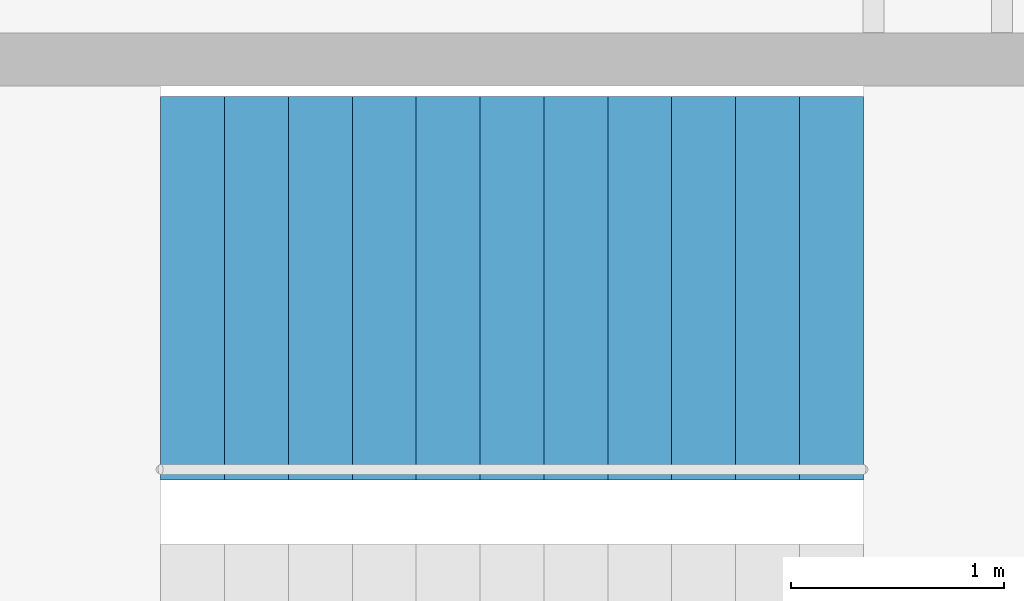
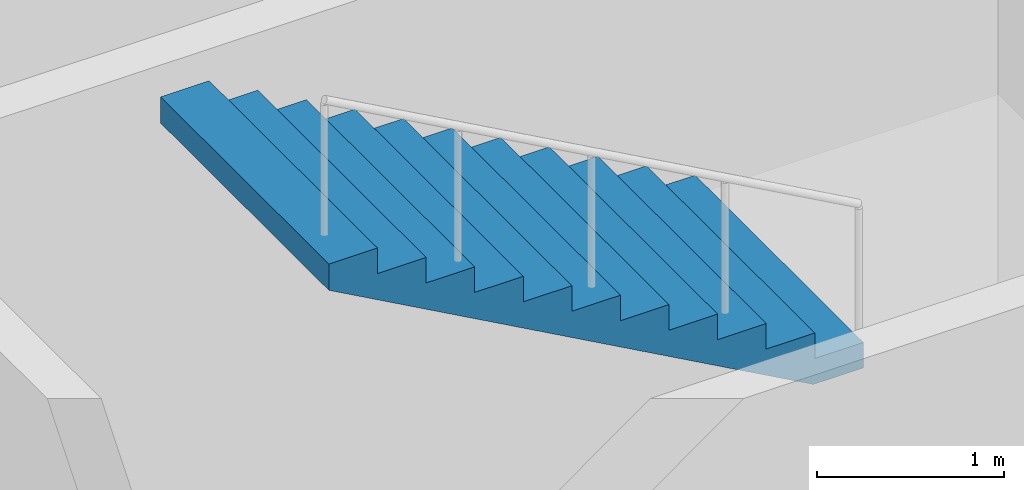
# One storey, part 6 of 8: 1 stair flight, 1 element without a shape of its own.
"""IFC4 building model written with IfcOpenShell, lengths in metres."""

from ifc_helpers import new_model, si_unit, direction, frame, origin, place, context, subcontext, project, spatial, polyline, outline, extrude, material, type_object, element, aggregate, save


model = new_model("IFC4")

# Units and contexts
model_context = context("Model", 3, precision=1e-05, world=origin(), true_north=direction((0.0, 1.0)))
body_context = subcontext(model_context, "Body", "Model", "MODEL_VIEW")
ifc_project = project(units=[si_unit("LENGTHUNIT", "METRE"), si_unit("AREAUNIT", "SQUARE_METRE"), si_unit("VOLUMEUNIT", "CUBIC_METRE"), si_unit("PLANEANGLEUNIT", "RADIAN"), si_unit("MASSUNIT", "GRAM", prefix="KILO")], contexts=[model_context])

# Site, building, storey
site_placement = place(None, origin())
site = spatial("IfcSite", under=ifc_project, at=site_placement, CompositionType="ELEMENT")
building_placement = place(site_placement, origin())
building = spatial("IfcBuilding", under=site, at=building_placement, Name="Cinnabar Reach Civic Tower", CompositionType="ELEMENT")
storey_placement = place(building_placement, frame((0.0, 0.0, 206.0)))
storey = spatial("IfcBuildingStorey", under=building, at=storey_placement, Name="L49", CompositionType="ELEMENT", Elevation=206.0)

# Stair, stair flight
ifc_material = material(Name="Concrete C40/50", Category="concrete")
stair_type = type_object("IfcStairType", Name="T1 Exit stair, half-turn", PredefinedType="HALF_TURN_STAIR", material=ifc_material)
stair_placement = place(storey_placement, origin())
stair = element("IfcStair", 1, at=stair_placement, inside=storey, type_object=stair_type, Name="Stair T1-S3", PredefinedType="HALF_TURN_STAIR")
stair_flight_type = type_object("IfcStairFlightType", Name="T1 Stair flight, concrete", PredefinedType="STRAIGHT", material=ifc_material)
stair_flight_placement = place(storey_placement, frame((35.35, 32.55, 2.0), z_axis=(0.0, 0.0, 1.0), x_axis=(-1.0, 0.0, 0.0)))
stair_flight = element("IfcStairFlight", 2, at=stair_flight_placement, type_object=stair_flight_type, Name="T1-S3 flight 2", NumberOfRisers=12, NumberOfTreads=11, PredefinedType="STRAIGHT", RiserHeight=0.166666667, TreadLength=0.3, context=body_context, shape_type="SweptSolid", body=[
    extrude(outline(polyline([(0.0, 0.0), (0.0, 0.1667), (0.3, 0.1667), (0.3, 0.3333), (0.6, 0.3333), (0.6, 0.5), (0.9, 0.5), (0.9, 0.6667), (1.2, 0.6667), (1.2, 0.8333), (1.5, 0.8333), (1.5, 1.0), (1.8, 1.0), (1.8, 1.1667), (2.1, 1.1667), (2.1, 1.3333), (2.4, 1.3333), (2.4, 1.5), (2.7, 1.5), (2.7, 1.6667), (3.0, 1.6667), (3.0, 1.8333), (3.3, 1.8333), (3.3, 2.0), (3.3, 1.6617), (0.3089, 0.0), (0.0, 0.0)])), frame((0.0, 0.9, 0.0), z_axis=(0.0, -1.0, 0.0), x_axis=(1.0, 0.0, 0.0)), (0.0, 0.0, 1.0), 1.8),
])
aggregate(stair, [stair_flight])

save(model, "model.ifc")
